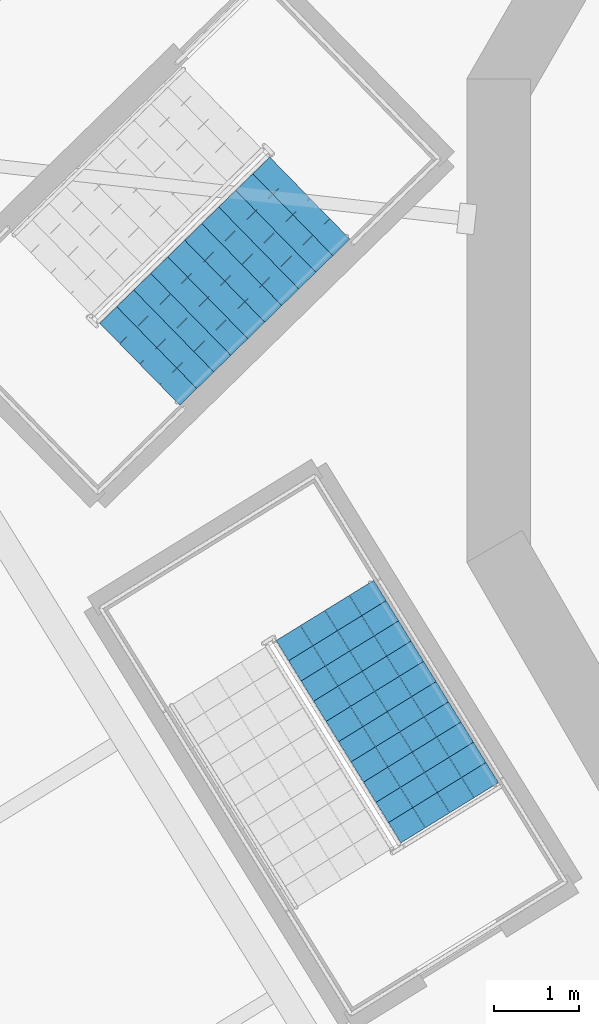
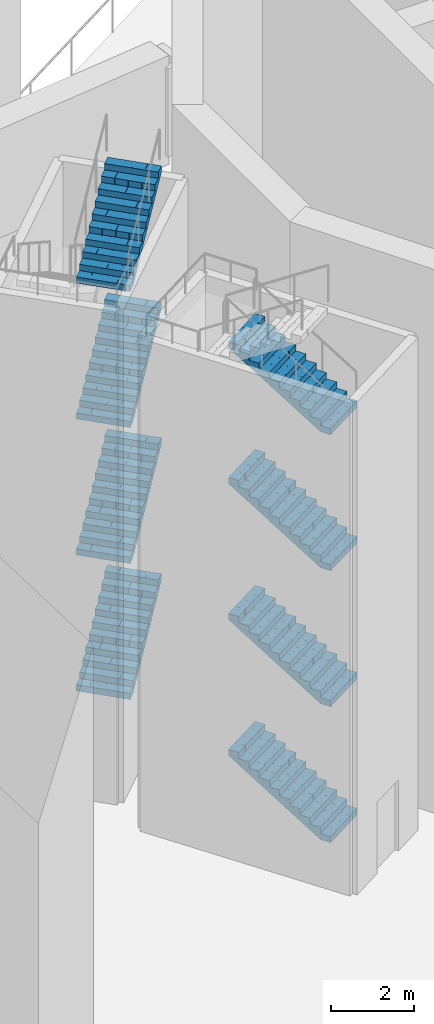
# One storey, part 6 of 15: 8 stair flights, 2 elements without a shape of their own.
"""IFC4 building model written with IfcOpenShell, lengths in metres."""

from ifc_helpers import new_model, si_unit, direction, frame, origin, place, context, subcontext, project, spatial, polyline, outline, extrude, material, type_object, element, aggregate, save


model = new_model("IFC4")

# Units and contexts
model_context = context("Model", 3, precision=1e-05, world=origin(), true_north=direction((0.0, 1.0)))
body_context = subcontext(model_context, "Body", "Model", "MODEL_VIEW")
ifc_project = project(units=[si_unit("LENGTHUNIT", "METRE"), si_unit("AREAUNIT", "SQUARE_METRE"), si_unit("VOLUMEUNIT", "CUBIC_METRE"), si_unit("PLANEANGLEUNIT", "RADIAN"), si_unit("MASSUNIT", "GRAM", prefix="KILO")], contexts=[model_context])

# Site, building, storey
site_placement = place(None, origin())
site = spatial("IfcSite", under=ifc_project, at=site_placement, CompositionType="ELEMENT")
building_placement = place(site_placement, origin())
building = spatial("IfcBuilding", under=site, at=building_placement, Name="Cantera Rosa Tower", CompositionType="ELEMENT")
storey_placement = place(building_placement, frame((0.0, 0.0, 189.39990234375)))
storey = spatial("IfcBuildingStorey", under=building, at=storey_placement, Name="L42", CompositionType="ELEMENT", Elevation=189.39990234375)

# Stair, stair flights
ifc_material_1 = material(Name="Concrete C35/45", Category="concrete")
stair_type = type_object("IfcStairType", Name="EXIT STAIR 1350 DOGLEG", PredefinedType="HALF_TURN_STAIR", material=ifc_material_1)
stair_1_placement = place(storey_placement, origin())
stair_1 = element("IfcStair", 1, at=stair_1_placement, inside=storey, type_object=stair_type, Name="L42 ST-43", PredefinedType="HALF_TURN_STAIR")
ifc_material_2 = material(Name="Concrete C35/45", Category="concrete")
stair_flight_type = type_object("IfcStairFlightType", Name="STAIR FLIGHT 1350 R88x182", PredefinedType="STRAIGHT", material=ifc_material_2)
stair_flight_1_placement = place(storey_placement, frame((-14.477294921875, -0.514892578125, 2.0), z_axis=(0.0, 0.0, 1.0), x_axis=(0.715286295132, 0.698831536207, 0.0)))
stair_flight_1 = element("IfcStairFlight", 2, at=stair_flight_1_placement, type_object=stair_flight_type, Name="ST-43 flight 2", NumberOfRisers=11, NumberOfTreads=10, PredefinedType="STRAIGHT", RiserHeight=0.181818182, TreadLength=0.28, context=body_context, shape_type="SweptSolid", body=[
    extrude(outline(polyline([(0.0, 0.0), (0.0, 0.181884765625), (0.280029296875, 0.181884765625), (0.280029296875, 0.363525390625), (0.56005859375, 0.363525390625), (0.56005859375, 0.54541015625), (0.840087890625, 0.54541015625), (0.840087890625, 0.727294921875), (1.1201171875, 0.727294921875), (1.1201171875, 0.9091796875), (1.39990234375, 0.9091796875), (1.39990234375, 1.0908203125), (1.679931640625, 1.0908203125), (1.679931640625, 1.272705078125), (1.9599609375, 1.272705078125), (1.9599609375, 1.45458984375), (2.239990234375, 1.45458984375), (2.239990234375, 1.636474609375), (2.52001953125, 1.636474609375), (2.52001953125, 1.818115234375), (2.800048828125, 1.818115234375), (2.800048828125, 2.0), (2.800048828125, 1.639404296875), (0.275146484375, 0.0), (0.0, 0.0)])), frame((0.0, 0.675048828125, 0.0), z_axis=(0.0, -1.0, 0.0), x_axis=(1.0, 0.0, 0.0)), (0.0, 0.0, 1.0), 0.3359375),
    extrude(outline(polyline([(0.0, 0.0), (0.0, 0.181884765625), (0.280029296875, 0.181884765625), (0.280029296875, 0.363525390625), (0.56005859375, 0.363525390625), (0.56005859375, 0.54541015625), (0.840087890625, 0.54541015625), (0.840087890625, 0.727294921875), (1.1201171875, 0.727294921875), (1.1201171875, 0.9091796875), (1.39990234375, 0.9091796875), (1.39990234375, 1.0908203125), (1.679931640625, 1.0908203125), (1.679931640625, 1.272705078125), (1.9599609375, 1.272705078125), (1.9599609375, 1.45458984375), (2.239990234375, 1.45458984375), (2.239990234375, 1.636474609375), (2.52001953125, 1.636474609375), (2.52001953125, 1.818115234375), (2.800048828125, 1.818115234375), (2.800048828125, 2.0), (2.800048828125, 1.639404296875), (0.275146484375, 0.0), (0.0, 0.0)])), frame((0.0, 0.337158203125, 0.0), z_axis=(0.0, -1.0, 0.0), x_axis=(1.0, 0.0, 0.0)), (0.0, 0.0, 1.0), 0.3359375),
    extrude(outline(polyline([(0.0, 0.0), (0.0, 0.181884765625), (0.280029296875, 0.181884765625), (0.280029296875, 0.363525390625), (0.56005859375, 0.363525390625), (0.56005859375, 0.54541015625), (0.840087890625, 0.54541015625), (0.840087890625, 0.727294921875), (1.1201171875, 0.727294921875), (1.1201171875, 0.9091796875), (1.39990234375, 0.9091796875), (1.39990234375, 1.0908203125), (1.679931640625, 1.0908203125), (1.679931640625, 1.272705078125), (1.9599609375, 1.272705078125), (1.9599609375, 1.45458984375), (2.239990234375, 1.45458984375), (2.239990234375, 1.636474609375), (2.52001953125, 1.636474609375), (2.52001953125, 1.818115234375), (2.800048828125, 1.818115234375), (2.800048828125, 2.0), (2.800048828125, 1.639404296875), (0.275146484375, 0.0), (0.0, 0.0)])), frame((0.0, -0.000732421875, 0.0), z_axis=(0.0, -1.0, 0.0), x_axis=(1.0, 0.0, 0.0)), (0.0, 0.0, 1.0), 0.3359375),
    extrude(outline(polyline([(0.0, 0.0), (0.0, 0.181884765625), (0.280029296875, 0.181884765625), (0.280029296875, 0.363525390625), (0.56005859375, 0.363525390625), (0.56005859375, 0.54541015625), (0.840087890625, 0.54541015625), (0.840087890625, 0.727294921875), (1.1201171875, 0.727294921875), (1.1201171875, 0.9091796875), (1.39990234375, 0.9091796875), (1.39990234375, 1.0908203125), (1.679931640625, 1.0908203125), (1.679931640625, 1.272705078125), (1.9599609375, 1.272705078125), (1.9599609375, 1.45458984375), (2.239990234375, 1.45458984375), (2.239990234375, 1.636474609375), (2.52001953125, 1.636474609375), (2.52001953125, 1.818115234375), (2.800048828125, 1.818115234375), (2.800048828125, 2.0), (2.800048828125, 1.639404296875), (0.275146484375, 0.0), (0.0, 0.0)])), frame((0.0, -0.338623046875, 0.0), z_axis=(0.0, -1.0, 0.0), x_axis=(1.0, 0.0, 0.0)), (0.0, 0.0, 1.0), 0.3359375),
])
stair_flight_2_placement = place(storey_placement, frame((-14.477294921875, -0.514892578125, 6.0), z_axis=(0.0, 0.0, 1.0), x_axis=(0.715286295132, 0.698831536207, 0.0)))
stair_flight_2 = element("IfcStairFlight", 3, at=stair_flight_2_placement, type_object=stair_flight_type, Name="ST-43 flight 4", NumberOfRisers=11, NumberOfTreads=10, PredefinedType="STRAIGHT", RiserHeight=0.181818182, TreadLength=0.28, context=body_context, shape_type="SweptSolid", body=[
    extrude(outline(polyline([(0.0, 0.0), (0.0, 0.181884765625), (0.280029296875, 0.181884765625), (0.280029296875, 0.363525390625), (0.56005859375, 0.363525390625), (0.56005859375, 0.54541015625), (0.840087890625, 0.54541015625), (0.840087890625, 0.727294921875), (1.1201171875, 0.727294921875), (1.1201171875, 0.9091796875), (1.39990234375, 0.9091796875), (1.39990234375, 1.0908203125), (1.679931640625, 1.0908203125), (1.679931640625, 1.272705078125), (1.9599609375, 1.272705078125), (1.9599609375, 1.45458984375), (2.239990234375, 1.45458984375), (2.239990234375, 1.636474609375), (2.52001953125, 1.636474609375), (2.52001953125, 1.818115234375), (2.800048828125, 1.818115234375), (2.800048828125, 2.0), (2.800048828125, 1.639404296875), (0.275146484375, 0.0), (0.0, 0.0)])), frame((0.0, 0.675048828125, 0.0), z_axis=(0.0, -1.0, 0.0), x_axis=(1.0, 0.0, 0.0)), (0.0, 0.0, 1.0), 0.3359375),
    extrude(outline(polyline([(0.0, 0.0), (0.0, 0.181884765625), (0.280029296875, 0.181884765625), (0.280029296875, 0.363525390625), (0.56005859375, 0.363525390625), (0.56005859375, 0.54541015625), (0.840087890625, 0.54541015625), (0.840087890625, 0.727294921875), (1.1201171875, 0.727294921875), (1.1201171875, 0.9091796875), (1.39990234375, 0.9091796875), (1.39990234375, 1.0908203125), (1.679931640625, 1.0908203125), (1.679931640625, 1.272705078125), (1.9599609375, 1.272705078125), (1.9599609375, 1.45458984375), (2.239990234375, 1.45458984375), (2.239990234375, 1.636474609375), (2.52001953125, 1.636474609375), (2.52001953125, 1.818115234375), (2.800048828125, 1.818115234375), (2.800048828125, 2.0), (2.800048828125, 1.639404296875), (0.275146484375, 0.0), (0.0, 0.0)])), frame((0.0, 0.337158203125, 0.0), z_axis=(0.0, -1.0, 0.0), x_axis=(1.0, 0.0, 0.0)), (0.0, 0.0, 1.0), 0.3359375),
    extrude(outline(polyline([(0.0, 0.0), (0.0, 0.181884765625), (0.280029296875, 0.181884765625), (0.280029296875, 0.363525390625), (0.56005859375, 0.363525390625), (0.56005859375, 0.54541015625), (0.840087890625, 0.54541015625), (0.840087890625, 0.727294921875), (1.1201171875, 0.727294921875), (1.1201171875, 0.9091796875), (1.39990234375, 0.9091796875), (1.39990234375, 1.0908203125), (1.679931640625, 1.0908203125), (1.679931640625, 1.272705078125), (1.9599609375, 1.272705078125), (1.9599609375, 1.45458984375), (2.239990234375, 1.45458984375), (2.239990234375, 1.636474609375), (2.52001953125, 1.636474609375), (2.52001953125, 1.818115234375), (2.800048828125, 1.818115234375), (2.800048828125, 2.0), (2.800048828125, 1.639404296875), (0.275146484375, 0.0), (0.0, 0.0)])), frame((0.0, -0.000732421875, 0.0), z_axis=(0.0, -1.0, 0.0), x_axis=(1.0, 0.0, 0.0)), (0.0, 0.0, 1.0), 0.3359375),
    extrude(outline(polyline([(0.0, 0.0), (0.0, 0.181884765625), (0.280029296875, 0.181884765625), (0.280029296875, 0.363525390625), (0.56005859375, 0.363525390625), (0.56005859375, 0.54541015625), (0.840087890625, 0.54541015625), (0.840087890625, 0.727294921875), (1.1201171875, 0.727294921875), (1.1201171875, 0.9091796875), (1.39990234375, 0.9091796875), (1.39990234375, 1.0908203125), (1.679931640625, 1.0908203125), (1.679931640625, 1.272705078125), (1.9599609375, 1.272705078125), (1.9599609375, 1.45458984375), (2.239990234375, 1.45458984375), (2.239990234375, 1.636474609375), (2.52001953125, 1.636474609375), (2.52001953125, 1.818115234375), (2.800048828125, 1.818115234375), (2.800048828125, 2.0), (2.800048828125, 1.639404296875), (0.275146484375, 0.0), (0.0, 0.0)])), frame((0.0, -0.338623046875, 0.0), z_axis=(0.0, -1.0, 0.0), x_axis=(1.0, 0.0, 0.0)), (0.0, 0.0, 1.0), 0.3359375),
])
stair_flight_3_placement = place(storey_placement, frame((-14.477294921875, -0.514892578125, 10.0), z_axis=(0.0, 0.0, 1.0), x_axis=(0.715286295132, 0.698831536207, 0.0)))
stair_flight_3 = element("IfcStairFlight", 4, at=stair_flight_3_placement, type_object=stair_flight_type, Name="ST-43 flight 6", NumberOfRisers=11, NumberOfTreads=10, PredefinedType="STRAIGHT", RiserHeight=0.181818182, TreadLength=0.28, context=body_context, shape_type="SweptSolid", body=[
    extrude(outline(polyline([(0.0, 0.0), (0.0, 0.181884765625), (0.280029296875, 0.181884765625), (0.280029296875, 0.363525390625), (0.56005859375, 0.363525390625), (0.56005859375, 0.54541015625), (0.840087890625, 0.54541015625), (0.840087890625, 0.727294921875), (1.1201171875, 0.727294921875), (1.1201171875, 0.9091796875), (1.39990234375, 0.9091796875), (1.39990234375, 1.0908203125), (1.679931640625, 1.0908203125), (1.679931640625, 1.272705078125), (1.9599609375, 1.272705078125), (1.9599609375, 1.45458984375), (2.239990234375, 1.45458984375), (2.239990234375, 1.636474609375), (2.52001953125, 1.636474609375), (2.52001953125, 1.818115234375), (2.800048828125, 1.818115234375), (2.800048828125, 2.0), (2.800048828125, 1.639404296875), (0.275146484375, 0.0), (0.0, 0.0)])), frame((0.0, 0.675048828125, 0.0), z_axis=(0.0, -1.0, 0.0), x_axis=(1.0, 0.0, 0.0)), (0.0, 0.0, 1.0), 0.3359375),
    extrude(outline(polyline([(0.0, 0.0), (0.0, 0.181884765625), (0.280029296875, 0.181884765625), (0.280029296875, 0.363525390625), (0.56005859375, 0.363525390625), (0.56005859375, 0.54541015625), (0.840087890625, 0.54541015625), (0.840087890625, 0.727294921875), (1.1201171875, 0.727294921875), (1.1201171875, 0.9091796875), (1.39990234375, 0.9091796875), (1.39990234375, 1.0908203125), (1.679931640625, 1.0908203125), (1.679931640625, 1.272705078125), (1.9599609375, 1.272705078125), (1.9599609375, 1.45458984375), (2.239990234375, 1.45458984375), (2.239990234375, 1.636474609375), (2.52001953125, 1.636474609375), (2.52001953125, 1.818115234375), (2.800048828125, 1.818115234375), (2.800048828125, 2.0), (2.800048828125, 1.639404296875), (0.275146484375, 0.0), (0.0, 0.0)])), frame((0.0, 0.337158203125, 0.0), z_axis=(0.0, -1.0, 0.0), x_axis=(1.0, 0.0, 0.0)), (0.0, 0.0, 1.0), 0.3359375),
    extrude(outline(polyline([(0.0, 0.0), (0.0, 0.181884765625), (0.280029296875, 0.181884765625), (0.280029296875, 0.363525390625), (0.56005859375, 0.363525390625), (0.56005859375, 0.54541015625), (0.840087890625, 0.54541015625), (0.840087890625, 0.727294921875), (1.1201171875, 0.727294921875), (1.1201171875, 0.9091796875), (1.39990234375, 0.9091796875), (1.39990234375, 1.0908203125), (1.679931640625, 1.0908203125), (1.679931640625, 1.272705078125), (1.9599609375, 1.272705078125), (1.9599609375, 1.45458984375), (2.239990234375, 1.45458984375), (2.239990234375, 1.636474609375), (2.52001953125, 1.636474609375), (2.52001953125, 1.818115234375), (2.800048828125, 1.818115234375), (2.800048828125, 2.0), (2.800048828125, 1.639404296875), (0.275146484375, 0.0), (0.0, 0.0)])), frame((0.0, -0.000732421875, 0.0), z_axis=(0.0, -1.0, 0.0), x_axis=(1.0, 0.0, 0.0)), (0.0, 0.0, 1.0), 0.3359375),
    extrude(outline(polyline([(0.0, 0.0), (0.0, 0.181884765625), (0.280029296875, 0.181884765625), (0.280029296875, 0.363525390625), (0.56005859375, 0.363525390625), (0.56005859375, 0.54541015625), (0.840087890625, 0.54541015625), (0.840087890625, 0.727294921875), (1.1201171875, 0.727294921875), (1.1201171875, 0.9091796875), (1.39990234375, 0.9091796875), (1.39990234375, 1.0908203125), (1.679931640625, 1.0908203125), (1.679931640625, 1.272705078125), (1.9599609375, 1.272705078125), (1.9599609375, 1.45458984375), (2.239990234375, 1.45458984375), (2.239990234375, 1.636474609375), (2.52001953125, 1.636474609375), (2.52001953125, 1.818115234375), (2.800048828125, 1.818115234375), (2.800048828125, 2.0), (2.800048828125, 1.639404296875), (0.275146484375, 0.0), (0.0, 0.0)])), frame((0.0, -0.338623046875, 0.0), z_axis=(0.0, -1.0, 0.0), x_axis=(1.0, 0.0, 0.0)), (0.0, 0.0, 1.0), 0.3359375),
])
stair_flight_4_placement = place(storey_placement, frame((-14.477294921875, -0.514892578125, 14.0), z_axis=(0.0, 0.0, 1.0), x_axis=(0.715286295132, 0.698831536207, 0.0)))
stair_flight_4 = element("IfcStairFlight", 5, at=stair_flight_4_placement, type_object=stair_flight_type, Name="ST-43 flight 8", NumberOfRisers=11, NumberOfTreads=10, PredefinedType="STRAIGHT", RiserHeight=0.181818182, TreadLength=0.28, context=body_context, shape_type="SweptSolid", body=[
    extrude(outline(polyline([(0.0, 0.0), (0.0, 0.181884765625), (0.280029296875, 0.181884765625), (0.280029296875, 0.363525390625), (0.56005859375, 0.363525390625), (0.56005859375, 0.54541015625), (0.840087890625, 0.54541015625), (0.840087890625, 0.727294921875), (1.1201171875, 0.727294921875), (1.1201171875, 0.9091796875), (1.39990234375, 0.9091796875), (1.39990234375, 1.0908203125), (1.679931640625, 1.0908203125), (1.679931640625, 1.272705078125), (1.9599609375, 1.272705078125), (1.9599609375, 1.45458984375), (2.239990234375, 1.45458984375), (2.239990234375, 1.636474609375), (2.52001953125, 1.636474609375), (2.52001953125, 1.818115234375), (2.800048828125, 1.818115234375), (2.800048828125, 2.0), (2.800048828125, 1.639404296875), (0.275146484375, 0.0), (0.0, 0.0)])), frame((0.0, 0.675048828125, 0.0), z_axis=(0.0, -1.0, 0.0), x_axis=(1.0, 0.0, 0.0)), (0.0, 0.0, 1.0), 0.3359375),
    extrude(outline(polyline([(0.0, 0.0), (0.0, 0.181884765625), (0.280029296875, 0.181884765625), (0.280029296875, 0.363525390625), (0.56005859375, 0.363525390625), (0.56005859375, 0.54541015625), (0.840087890625, 0.54541015625), (0.840087890625, 0.727294921875), (1.1201171875, 0.727294921875), (1.1201171875, 0.9091796875), (1.39990234375, 0.9091796875), (1.39990234375, 1.0908203125), (1.679931640625, 1.0908203125), (1.679931640625, 1.272705078125), (1.9599609375, 1.272705078125), (1.9599609375, 1.45458984375), (2.239990234375, 1.45458984375), (2.239990234375, 1.636474609375), (2.52001953125, 1.636474609375), (2.52001953125, 1.818115234375), (2.800048828125, 1.818115234375), (2.800048828125, 2.0), (2.800048828125, 1.639404296875), (0.275146484375, 0.0), (0.0, 0.0)])), frame((0.0, 0.337158203125, 0.0), z_axis=(0.0, -1.0, 0.0), x_axis=(1.0, 0.0, 0.0)), (0.0, 0.0, 1.0), 0.3359375),
    extrude(outline(polyline([(0.0, 0.0), (0.0, 0.181884765625), (0.280029296875, 0.181884765625), (0.280029296875, 0.363525390625), (0.56005859375, 0.363525390625), (0.56005859375, 0.54541015625), (0.840087890625, 0.54541015625), (0.840087890625, 0.727294921875), (1.1201171875, 0.727294921875), (1.1201171875, 0.9091796875), (1.39990234375, 0.9091796875), (1.39990234375, 1.0908203125), (1.679931640625, 1.0908203125), (1.679931640625, 1.272705078125), (1.9599609375, 1.272705078125), (1.9599609375, 1.45458984375), (2.239990234375, 1.45458984375), (2.239990234375, 1.636474609375), (2.52001953125, 1.636474609375), (2.52001953125, 1.818115234375), (2.800048828125, 1.818115234375), (2.800048828125, 2.0), (2.800048828125, 1.639404296875), (0.275146484375, 0.0), (0.0, 0.0)])), frame((0.0, -0.000732421875, 0.0), z_axis=(0.0, -1.0, 0.0), x_axis=(1.0, 0.0, 0.0)), (0.0, 0.0, 1.0), 0.3359375),
    extrude(outline(polyline([(0.0, 0.0), (0.0, 0.181884765625), (0.280029296875, 0.181884765625), (0.280029296875, 0.363525390625), (0.56005859375, 0.363525390625), (0.56005859375, 0.54541015625), (0.840087890625, 0.54541015625), (0.840087890625, 0.727294921875), (1.1201171875, 0.727294921875), (1.1201171875, 0.9091796875), (1.39990234375, 0.9091796875), (1.39990234375, 1.0908203125), (1.679931640625, 1.0908203125), (1.679931640625, 1.272705078125), (1.9599609375, 1.272705078125), (1.9599609375, 1.45458984375), (2.239990234375, 1.45458984375), (2.239990234375, 1.636474609375), (2.52001953125, 1.636474609375), (2.52001953125, 1.818115234375), (2.800048828125, 1.818115234375), (2.800048828125, 2.0), (2.800048828125, 1.639404296875), (0.275146484375, 0.0), (0.0, 0.0)])), frame((0.0, -0.338623046875, 0.0), z_axis=(0.0, -1.0, 0.0), x_axis=(1.0, 0.0, 0.0)), (0.0, 0.0, 1.0), 0.3359375),
])
aggregate(stair_1, [stair_flight_1, stair_flight_2, stair_flight_3, stair_flight_4])

stair_2_placement = place(storey_placement, origin())
stair_2 = element("IfcStair", 6, at=stair_2_placement, inside=storey, type_object=stair_type, Name="L42 ST-44", PredefinedType="HALF_TURN_STAIR")
stair_flight_5_placement = place(storey_placement, frame((-10.82666015625, -5.7978515625, 0.0), z_axis=(0.0, 0.0, 1.0), x_axis=(-0.524976585286, 0.851116669383, 0.0)))
stair_flight_5 = element("IfcStairFlight", 7, at=stair_flight_5_placement, type_object=stair_flight_type, Name="ST-44 flight 1", NumberOfRisers=11, NumberOfTreads=10, PredefinedType="STRAIGHT", RiserHeight=0.181818182, TreadLength=0.28, context=body_context, shape_type="SweptSolid", body=[
    extrude(outline(polyline([(0.0, 0.0), (0.0, 0.181884765625), (0.280029296875, 0.181884765625), (0.280029296875, 0.363525390625), (0.56005859375, 0.363525390625), (0.56005859375, 0.54541015625), (0.840087890625, 0.54541015625), (0.840087890625, 0.727294921875), (1.1201171875, 0.727294921875), (1.1201171875, 0.9091796875), (1.39990234375, 0.9091796875), (1.39990234375, 1.0908203125), (1.679931640625, 1.0908203125), (1.679931640625, 1.272705078125), (1.9599609375, 1.272705078125), (1.9599609375, 1.45458984375), (2.239990234375, 1.45458984375), (2.239990234375, 1.636474609375), (2.52001953125, 1.636474609375), (2.52001953125, 1.818115234375), (2.800048828125, 1.818115234375), (2.800048828125, 2.0), (2.800048828125, 1.639404296875), (0.275146484375, 0.0), (0.0, 0.0)])), frame((0.0, 0.675048828125, 0.0), z_axis=(0.0, -1.0, 0.0), x_axis=(1.0, 0.0, 0.0)), (0.0, 0.0, 1.0), 0.3359375),
    extrude(outline(polyline([(0.0, 0.0), (0.0, 0.181884765625), (0.280029296875, 0.181884765625), (0.280029296875, 0.363525390625), (0.56005859375, 0.363525390625), (0.56005859375, 0.54541015625), (0.840087890625, 0.54541015625), (0.840087890625, 0.727294921875), (1.1201171875, 0.727294921875), (1.1201171875, 0.9091796875), (1.39990234375, 0.9091796875), (1.39990234375, 1.0908203125), (1.679931640625, 1.0908203125), (1.679931640625, 1.272705078125), (1.9599609375, 1.272705078125), (1.9599609375, 1.45458984375), (2.239990234375, 1.45458984375), (2.239990234375, 1.636474609375), (2.52001953125, 1.636474609375), (2.52001953125, 1.818115234375), (2.800048828125, 1.818115234375), (2.800048828125, 2.0), (2.800048828125, 1.639404296875), (0.275146484375, 0.0), (0.0, 0.0)])), frame((0.0, 0.337158203125, 0.0), z_axis=(0.0, -1.0, 0.0), x_axis=(1.0, 0.0, 0.0)), (0.0, 0.0, 1.0), 0.3359375),
    extrude(outline(polyline([(0.0, 0.0), (0.0, 0.181884765625), (0.280029296875, 0.181884765625), (0.280029296875, 0.363525390625), (0.56005859375, 0.363525390625), (0.56005859375, 0.54541015625), (0.840087890625, 0.54541015625), (0.840087890625, 0.727294921875), (1.1201171875, 0.727294921875), (1.1201171875, 0.9091796875), (1.39990234375, 0.9091796875), (1.39990234375, 1.0908203125), (1.679931640625, 1.0908203125), (1.679931640625, 1.272705078125), (1.9599609375, 1.272705078125), (1.9599609375, 1.45458984375), (2.239990234375, 1.45458984375), (2.239990234375, 1.636474609375), (2.52001953125, 1.636474609375), (2.52001953125, 1.818115234375), (2.800048828125, 1.818115234375), (2.800048828125, 2.0), (2.800048828125, 1.639404296875), (0.275146484375, 0.0), (0.0, 0.0)])), frame((0.0, -0.000732421875, 0.0), z_axis=(0.0, -1.0, 0.0), x_axis=(1.0, 0.0, 0.0)), (0.0, 0.0, 1.0), 0.3359375),
    extrude(outline(polyline([(0.0, 0.0), (0.0, 0.181884765625), (0.280029296875, 0.181884765625), (0.280029296875, 0.363525390625), (0.56005859375, 0.363525390625), (0.56005859375, 0.54541015625), (0.840087890625, 0.54541015625), (0.840087890625, 0.727294921875), (1.1201171875, 0.727294921875), (1.1201171875, 0.9091796875), (1.39990234375, 0.9091796875), (1.39990234375, 1.0908203125), (1.679931640625, 1.0908203125), (1.679931640625, 1.272705078125), (1.9599609375, 1.272705078125), (1.9599609375, 1.45458984375), (2.239990234375, 1.45458984375), (2.239990234375, 1.636474609375), (2.52001953125, 1.636474609375), (2.52001953125, 1.818115234375), (2.800048828125, 1.818115234375), (2.800048828125, 2.0), (2.800048828125, 1.639404296875), (0.275146484375, 0.0), (0.0, 0.0)])), frame((0.0, -0.338623046875, 0.0), z_axis=(0.0, -1.0, 0.0), x_axis=(1.0, 0.0, 0.0)), (0.0, 0.0, 1.0), 0.3359375),
])
stair_flight_6_placement = place(storey_placement, frame((-10.82666015625, -5.7978515625, 4.0), z_axis=(0.0, 0.0, 1.0), x_axis=(-0.524976585286, 0.851116669383, 0.0)))
stair_flight_6 = element("IfcStairFlight", 8, at=stair_flight_6_placement, type_object=stair_flight_type, Name="ST-44 flight 3", NumberOfRisers=11, NumberOfTreads=10, PredefinedType="STRAIGHT", RiserHeight=0.181818182, TreadLength=0.28, context=body_context, shape_type="SweptSolid", body=[
    extrude(outline(polyline([(0.0, 0.0), (0.0, 0.181884765625), (0.280029296875, 0.181884765625), (0.280029296875, 0.363525390625), (0.56005859375, 0.363525390625), (0.56005859375, 0.54541015625), (0.840087890625, 0.54541015625), (0.840087890625, 0.727294921875), (1.1201171875, 0.727294921875), (1.1201171875, 0.9091796875), (1.39990234375, 0.9091796875), (1.39990234375, 1.0908203125), (1.679931640625, 1.0908203125), (1.679931640625, 1.272705078125), (1.9599609375, 1.272705078125), (1.9599609375, 1.45458984375), (2.239990234375, 1.45458984375), (2.239990234375, 1.636474609375), (2.52001953125, 1.636474609375), (2.52001953125, 1.818115234375), (2.800048828125, 1.818115234375), (2.800048828125, 2.0), (2.800048828125, 1.639404296875), (0.275146484375, 0.0), (0.0, 0.0)])), frame((0.0, 0.675048828125, 0.0), z_axis=(0.0, -1.0, 0.0), x_axis=(1.0, 0.0, 0.0)), (0.0, 0.0, 1.0), 0.3359375),
    extrude(outline(polyline([(0.0, 0.0), (0.0, 0.181884765625), (0.280029296875, 0.181884765625), (0.280029296875, 0.363525390625), (0.56005859375, 0.363525390625), (0.56005859375, 0.54541015625), (0.840087890625, 0.54541015625), (0.840087890625, 0.727294921875), (1.1201171875, 0.727294921875), (1.1201171875, 0.9091796875), (1.39990234375, 0.9091796875), (1.39990234375, 1.0908203125), (1.679931640625, 1.0908203125), (1.679931640625, 1.272705078125), (1.9599609375, 1.272705078125), (1.9599609375, 1.45458984375), (2.239990234375, 1.45458984375), (2.239990234375, 1.636474609375), (2.52001953125, 1.636474609375), (2.52001953125, 1.818115234375), (2.800048828125, 1.818115234375), (2.800048828125, 2.0), (2.800048828125, 1.639404296875), (0.275146484375, 0.0), (0.0, 0.0)])), frame((0.0, 0.337158203125, 0.0), z_axis=(0.0, -1.0, 0.0), x_axis=(1.0, 0.0, 0.0)), (0.0, 0.0, 1.0), 0.3359375),
    extrude(outline(polyline([(0.0, 0.0), (0.0, 0.181884765625), (0.280029296875, 0.181884765625), (0.280029296875, 0.363525390625), (0.56005859375, 0.363525390625), (0.56005859375, 0.54541015625), (0.840087890625, 0.54541015625), (0.840087890625, 0.727294921875), (1.1201171875, 0.727294921875), (1.1201171875, 0.9091796875), (1.39990234375, 0.9091796875), (1.39990234375, 1.0908203125), (1.679931640625, 1.0908203125), (1.679931640625, 1.272705078125), (1.9599609375, 1.272705078125), (1.9599609375, 1.45458984375), (2.239990234375, 1.45458984375), (2.239990234375, 1.636474609375), (2.52001953125, 1.636474609375), (2.52001953125, 1.818115234375), (2.800048828125, 1.818115234375), (2.800048828125, 2.0), (2.800048828125, 1.639404296875), (0.275146484375, 0.0), (0.0, 0.0)])), frame((0.0, -0.000732421875, 0.0), z_axis=(0.0, -1.0, 0.0), x_axis=(1.0, 0.0, 0.0)), (0.0, 0.0, 1.0), 0.3359375),
    extrude(outline(polyline([(0.0, 0.0), (0.0, 0.181884765625), (0.280029296875, 0.181884765625), (0.280029296875, 0.363525390625), (0.56005859375, 0.363525390625), (0.56005859375, 0.54541015625), (0.840087890625, 0.54541015625), (0.840087890625, 0.727294921875), (1.1201171875, 0.727294921875), (1.1201171875, 0.9091796875), (1.39990234375, 0.9091796875), (1.39990234375, 1.0908203125), (1.679931640625, 1.0908203125), (1.679931640625, 1.272705078125), (1.9599609375, 1.272705078125), (1.9599609375, 1.45458984375), (2.239990234375, 1.45458984375), (2.239990234375, 1.636474609375), (2.52001953125, 1.636474609375), (2.52001953125, 1.818115234375), (2.800048828125, 1.818115234375), (2.800048828125, 2.0), (2.800048828125, 1.639404296875), (0.275146484375, 0.0), (0.0, 0.0)])), frame((0.0, -0.338623046875, 0.0), z_axis=(0.0, -1.0, 0.0), x_axis=(1.0, 0.0, 0.0)), (0.0, 0.0, 1.0), 0.3359375),
])
stair_flight_7_placement = place(storey_placement, frame((-10.82666015625, -5.7978515625, 8.0), z_axis=(0.0, 0.0, 1.0), x_axis=(-0.524976585286, 0.851116669383, 0.0)))
stair_flight_7 = element("IfcStairFlight", 9, at=stair_flight_7_placement, type_object=stair_flight_type, Name="ST-44 flight 5", NumberOfRisers=11, NumberOfTreads=10, PredefinedType="STRAIGHT", RiserHeight=0.181818182, TreadLength=0.28, context=body_context, shape_type="SweptSolid", body=[
    extrude(outline(polyline([(0.0, 0.0), (0.0, 0.181884765625), (0.280029296875, 0.181884765625), (0.280029296875, 0.363525390625), (0.56005859375, 0.363525390625), (0.56005859375, 0.54541015625), (0.840087890625, 0.54541015625), (0.840087890625, 0.727294921875), (1.1201171875, 0.727294921875), (1.1201171875, 0.9091796875), (1.39990234375, 0.9091796875), (1.39990234375, 1.0908203125), (1.679931640625, 1.0908203125), (1.679931640625, 1.272705078125), (1.9599609375, 1.272705078125), (1.9599609375, 1.45458984375), (2.239990234375, 1.45458984375), (2.239990234375, 1.636474609375), (2.52001953125, 1.636474609375), (2.52001953125, 1.818115234375), (2.800048828125, 1.818115234375), (2.800048828125, 2.0), (2.800048828125, 1.639404296875), (0.275146484375, 0.0), (0.0, 0.0)])), frame((0.0, 0.675048828125, 0.0), z_axis=(0.0, -1.0, 0.0), x_axis=(1.0, 0.0, 0.0)), (0.0, 0.0, 1.0), 0.3359375),
    extrude(outline(polyline([(0.0, 0.0), (0.0, 0.181884765625), (0.280029296875, 0.181884765625), (0.280029296875, 0.363525390625), (0.56005859375, 0.363525390625), (0.56005859375, 0.54541015625), (0.840087890625, 0.54541015625), (0.840087890625, 0.727294921875), (1.1201171875, 0.727294921875), (1.1201171875, 0.9091796875), (1.39990234375, 0.9091796875), (1.39990234375, 1.0908203125), (1.679931640625, 1.0908203125), (1.679931640625, 1.272705078125), (1.9599609375, 1.272705078125), (1.9599609375, 1.45458984375), (2.239990234375, 1.45458984375), (2.239990234375, 1.636474609375), (2.52001953125, 1.636474609375), (2.52001953125, 1.818115234375), (2.800048828125, 1.818115234375), (2.800048828125, 2.0), (2.800048828125, 1.639404296875), (0.275146484375, 0.0), (0.0, 0.0)])), frame((0.0, 0.337158203125, 0.0), z_axis=(0.0, -1.0, 0.0), x_axis=(1.0, 0.0, 0.0)), (0.0, 0.0, 1.0), 0.3359375),
    extrude(outline(polyline([(0.0, 0.0), (0.0, 0.181884765625), (0.280029296875, 0.181884765625), (0.280029296875, 0.363525390625), (0.56005859375, 0.363525390625), (0.56005859375, 0.54541015625), (0.840087890625, 0.54541015625), (0.840087890625, 0.727294921875), (1.1201171875, 0.727294921875), (1.1201171875, 0.9091796875), (1.39990234375, 0.9091796875), (1.39990234375, 1.0908203125), (1.679931640625, 1.0908203125), (1.679931640625, 1.272705078125), (1.9599609375, 1.272705078125), (1.9599609375, 1.45458984375), (2.239990234375, 1.45458984375), (2.239990234375, 1.636474609375), (2.52001953125, 1.636474609375), (2.52001953125, 1.818115234375), (2.800048828125, 1.818115234375), (2.800048828125, 2.0), (2.800048828125, 1.639404296875), (0.275146484375, 0.0), (0.0, 0.0)])), frame((0.0, -0.000732421875, 0.0), z_axis=(0.0, -1.0, 0.0), x_axis=(1.0, 0.0, 0.0)), (0.0, 0.0, 1.0), 0.3359375),
    extrude(outline(polyline([(0.0, 0.0), (0.0, 0.181884765625), (0.280029296875, 0.181884765625), (0.280029296875, 0.363525390625), (0.56005859375, 0.363525390625), (0.56005859375, 0.54541015625), (0.840087890625, 0.54541015625), (0.840087890625, 0.727294921875), (1.1201171875, 0.727294921875), (1.1201171875, 0.9091796875), (1.39990234375, 0.9091796875), (1.39990234375, 1.0908203125), (1.679931640625, 1.0908203125), (1.679931640625, 1.272705078125), (1.9599609375, 1.272705078125), (1.9599609375, 1.45458984375), (2.239990234375, 1.45458984375), (2.239990234375, 1.636474609375), (2.52001953125, 1.636474609375), (2.52001953125, 1.818115234375), (2.800048828125, 1.818115234375), (2.800048828125, 2.0), (2.800048828125, 1.639404296875), (0.275146484375, 0.0), (0.0, 0.0)])), frame((0.0, -0.338623046875, 0.0), z_axis=(0.0, -1.0, 0.0), x_axis=(1.0, 0.0, 0.0)), (0.0, 0.0, 1.0), 0.3359375),
])
stair_flight_8_placement = place(storey_placement, frame((-10.82666015625, -5.7978515625, 12.0), z_axis=(0.0, 0.0, 1.0), x_axis=(-0.524976585286, 0.851116669383, 0.0)))
stair_flight_8 = element("IfcStairFlight", 10, at=stair_flight_8_placement, type_object=stair_flight_type, Name="ST-44 flight 7", NumberOfRisers=11, NumberOfTreads=10, PredefinedType="STRAIGHT", RiserHeight=0.181818182, TreadLength=0.28, context=body_context, shape_type="SweptSolid", body=[
    extrude(outline(polyline([(0.0, 0.0), (0.0, 0.181884765625), (0.280029296875, 0.181884765625), (0.280029296875, 0.363525390625), (0.56005859375, 0.363525390625), (0.56005859375, 0.54541015625), (0.840087890625, 0.54541015625), (0.840087890625, 0.727294921875), (1.1201171875, 0.727294921875), (1.1201171875, 0.9091796875), (1.39990234375, 0.9091796875), (1.39990234375, 1.0908203125), (1.679931640625, 1.0908203125), (1.679931640625, 1.272705078125), (1.9599609375, 1.272705078125), (1.9599609375, 1.45458984375), (2.239990234375, 1.45458984375), (2.239990234375, 1.636474609375), (2.52001953125, 1.636474609375), (2.52001953125, 1.818115234375), (2.800048828125, 1.818115234375), (2.800048828125, 2.0), (2.800048828125, 1.639404296875), (0.275146484375, 0.0), (0.0, 0.0)])), frame((0.0, 0.675048828125, 0.0), z_axis=(0.0, -1.0, 0.0), x_axis=(1.0, 0.0, 0.0)), (0.0, 0.0, 1.0), 0.3359375),
    extrude(outline(polyline([(0.0, 0.0), (0.0, 0.181884765625), (0.280029296875, 0.181884765625), (0.280029296875, 0.363525390625), (0.56005859375, 0.363525390625), (0.56005859375, 0.54541015625), (0.840087890625, 0.54541015625), (0.840087890625, 0.727294921875), (1.1201171875, 0.727294921875), (1.1201171875, 0.9091796875), (1.39990234375, 0.9091796875), (1.39990234375, 1.0908203125), (1.679931640625, 1.0908203125), (1.679931640625, 1.272705078125), (1.9599609375, 1.272705078125), (1.9599609375, 1.45458984375), (2.239990234375, 1.45458984375), (2.239990234375, 1.636474609375), (2.52001953125, 1.636474609375), (2.52001953125, 1.818115234375), (2.800048828125, 1.818115234375), (2.800048828125, 2.0), (2.800048828125, 1.639404296875), (0.275146484375, 0.0), (0.0, 0.0)])), frame((0.0, 0.337158203125, 0.0), z_axis=(0.0, -1.0, 0.0), x_axis=(1.0, 0.0, 0.0)), (0.0, 0.0, 1.0), 0.3359375),
    extrude(outline(polyline([(0.0, 0.0), (0.0, 0.181884765625), (0.280029296875, 0.181884765625), (0.280029296875, 0.363525390625), (0.56005859375, 0.363525390625), (0.56005859375, 0.54541015625), (0.840087890625, 0.54541015625), (0.840087890625, 0.727294921875), (1.1201171875, 0.727294921875), (1.1201171875, 0.9091796875), (1.39990234375, 0.9091796875), (1.39990234375, 1.0908203125), (1.679931640625, 1.0908203125), (1.679931640625, 1.272705078125), (1.9599609375, 1.272705078125), (1.9599609375, 1.45458984375), (2.239990234375, 1.45458984375), (2.239990234375, 1.636474609375), (2.52001953125, 1.636474609375), (2.52001953125, 1.818115234375), (2.800048828125, 1.818115234375), (2.800048828125, 2.0), (2.800048828125, 1.639404296875), (0.275146484375, 0.0), (0.0, 0.0)])), frame((0.0, -0.000732421875, 0.0), z_axis=(0.0, -1.0, 0.0), x_axis=(1.0, 0.0, 0.0)), (0.0, 0.0, 1.0), 0.3359375),
    extrude(outline(polyline([(0.0, 0.0), (0.0, 0.181884765625), (0.280029296875, 0.181884765625), (0.280029296875, 0.363525390625), (0.56005859375, 0.363525390625), (0.56005859375, 0.54541015625), (0.840087890625, 0.54541015625), (0.840087890625, 0.727294921875), (1.1201171875, 0.727294921875), (1.1201171875, 0.9091796875), (1.39990234375, 0.9091796875), (1.39990234375, 1.0908203125), (1.679931640625, 1.0908203125), (1.679931640625, 1.272705078125), (1.9599609375, 1.272705078125), (1.9599609375, 1.45458984375), (2.239990234375, 1.45458984375), (2.239990234375, 1.636474609375), (2.52001953125, 1.636474609375), (2.52001953125, 1.818115234375), (2.800048828125, 1.818115234375), (2.800048828125, 2.0), (2.800048828125, 1.639404296875), (0.275146484375, 0.0), (0.0, 0.0)])), frame((0.0, -0.338623046875, 0.0), z_axis=(0.0, -1.0, 0.0), x_axis=(1.0, 0.0, 0.0)), (0.0, 0.0, 1.0), 0.3359375),
])
aggregate(stair_2, [stair_flight_5, stair_flight_6, stair_flight_7, stair_flight_8])

save(model, "model.ifc")
